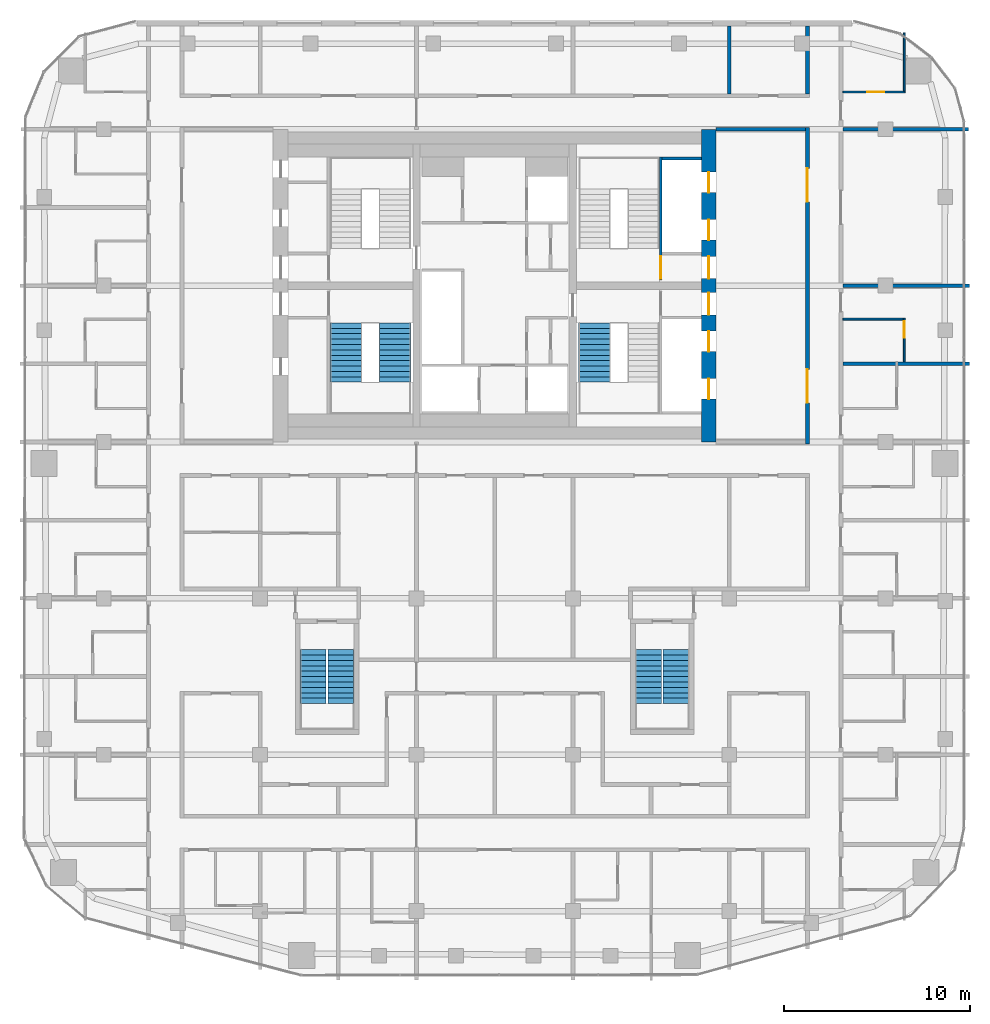
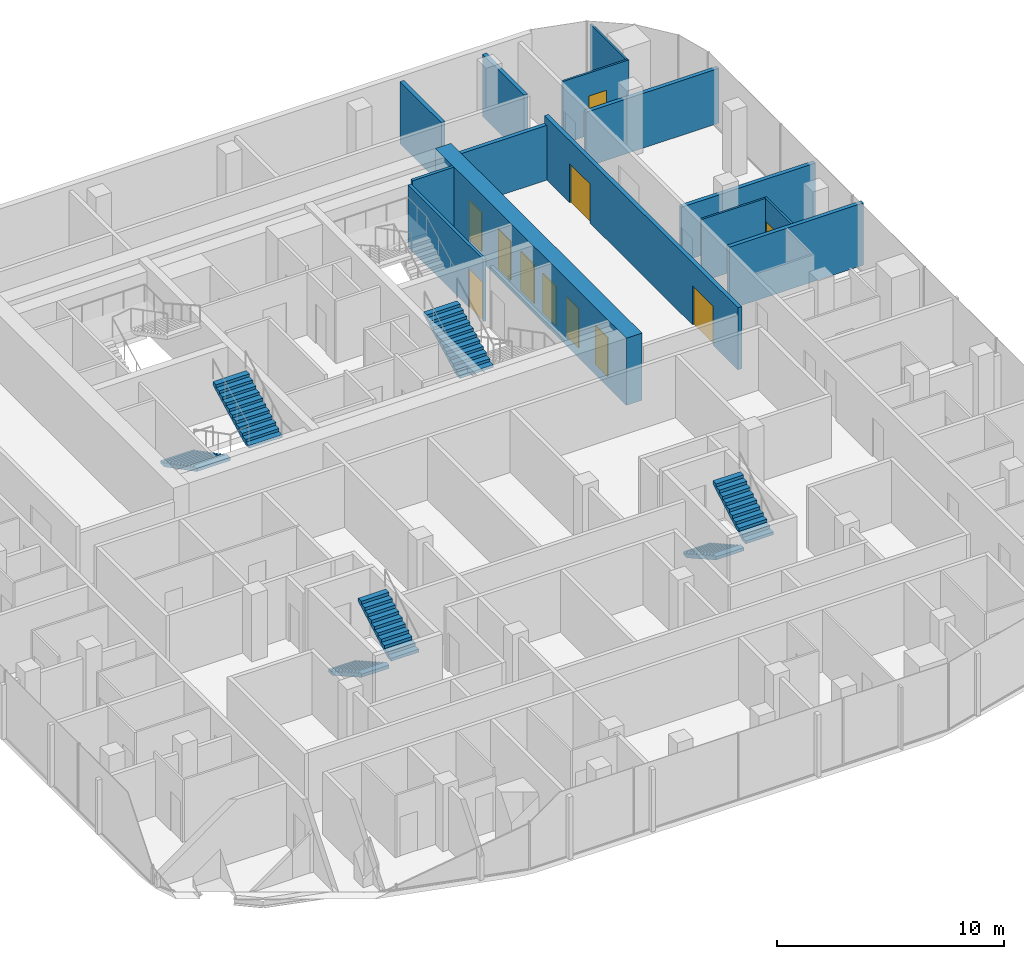
# One storey, part 20 of 22: 14 walls, 11 doors, 7 stair flights, 11 openings, 4 elements without a shape of their own.
"""IFC4 building model written with IfcOpenShell, lengths in metres."""

from ifc_helpers import new_model, si_unit, direction, frame, frame_2d, origin, place, context, subcontext, project, spatial, polyline, rectangle, outline, extrude, material, layer, layer_set, type_object, element, fill, aggregate, save


model = new_model("IFC4")

# Units and contexts
model_context = context("Model", 3, precision=1e-05, world=origin(), true_north=direction((0.0, 1.0)))
body_context = subcontext(model_context, "Body", "Model", "MODEL_VIEW")
ifc_project = project(units=[si_unit("LENGTHUNIT", "METRE"), si_unit("AREAUNIT", "SQUARE_METRE"), si_unit("VOLUMEUNIT", "CUBIC_METRE"), si_unit("PLANEANGLEUNIT", "RADIAN"), si_unit("MASSUNIT", "GRAM", prefix="KILO")], contexts=[model_context])

# Site, building, storey
site_placement = place(None, origin())
site = spatial("IfcSite", under=ifc_project, at=site_placement, CompositionType="ELEMENT")
building_placement = place(site_placement, origin())
building = spatial("IfcBuilding", under=site, at=building_placement, Name="Marenta Gate Hotel Tower", CompositionType="ELEMENT")
storey_placement = place(building_placement, frame((0.0, 0.0, 187.699951171875)))
storey = spatial("IfcBuildingStorey", under=building, at=storey_placement, Name="L42", CompositionType="ELEMENT", Elevation=187.699951171875)

# Wall, openings, doors
ifc_material_1 = material(Name="Concrete blockwork", Category="masonry")
ifc_layer_1 = layer(ifc_material_1, 0.199951171875)
ifc_layer_set_1 = layer_set([ifc_layer_1], Name="Concrete blockwork")
wall_type_1 = type_object("IfcWallType", Name="Core boundary wall 200 REI 180", PredefinedType="PARTITIONING", material=ifc_layer_set_1)
wall_1_placement = place(storey_placement, frame((16.800048828125, -0.10009765625, 0.0), z_axis=(0.0, 0.0, 1.0), x_axis=(0.0, 1.0, 0.0)))
wall_1 = element("IfcWall", 1, at=wall_1_placement, inside=storey, type_object=wall_type_1, Name="L42-CP-BW-E", PredefinedType="PARTITIONING", context=body_context, shape_type="SweptSolid", body=[
    extrude(rectangle(XDim=17.0, YDim=0.199951171875, at=frame_2d((8.5, 0.0))), origin(), (0.0, 0.0, 1.0), 3.340087890625),
])
opening_1_placement = place(wall_1_placement, frame((2.199951171875, 0.0, 0.0)))
opening_1 = element("IfcOpeningElement", 2, at=opening_1_placement, cuts=wall_1, Name="Opening ED-Ea-B", PredefinedType="OPENING", context=body_context, shape_type="SweptSolid", body=[
    extrude(rectangle(XDim=1.800048828125, YDim=2.10009765625, at=frame_2d((0.89990234375, 1.050048828125))), frame((0.0, 0.10009765625, 0.0), z_axis=(0.0, -1.0, 0.0), x_axis=(1.0, 0.0, 0.0)), (0.0, 0.0, 1.0), 0.199951171875),
])
opening_2_placement = place(wall_1_placement, frame((13.0, 0.0, 0.0)))
opening_2 = element("IfcOpeningElement", 3, at=opening_2_placement, cuts=wall_1, Name="Opening ED-Eb-B", PredefinedType="OPENING", context=body_context, shape_type="SweptSolid", body=[
    extrude(rectangle(XDim=1.800048828125, YDim=2.10009765625, at=frame_2d((0.89990234375, 1.050048828125))), frame((0.0, 0.10009765625, 0.0), z_axis=(0.0, -1.0, 0.0), x_axis=(1.0, 0.0, 0.0)), (0.0, 0.0, 1.0), 0.199951171875),
])
ifc_material_2 = material(Name="Steel", Category="steel")
door_type_1 = type_object("IfcDoorType", Name="Core lobby entrance door 1800x2100 EI 60", OperationType="DOUBLE_DOOR_SINGLE_SWING", PredefinedType="DOOR", material=ifc_material_2)
door_1_placement = place(opening_1_placement, origin())
door_1 = element("IfcDoor", 4, at=door_1_placement, inside=storey, type_object=door_type_1, Name="ED-Ea-B", OperationType="DOUBLE_DOOR_SINGLE_SWING", OverallHeight=2.10009765625, OverallWidth=1.800048828125, PredefinedType="DOOR", context=body_context, shape_type="SweptSolid", body=[
    extrude(rectangle(XDim=1.800048828125, YDim=2.10009765625, at=frame_2d((0.89990234375, 1.050048828125))), frame((0.0, 0.02490234375, 0.0), z_axis=(0.0, -1.0, 0.0), x_axis=(1.0, 0.0, 0.0)), (0.0, 0.0, 1.0), 0.050048828125),
])
fill(opening_1, door_1)
door_2_placement = place(opening_2_placement, origin())
door_2 = element("IfcDoor", 5, at=door_2_placement, inside=storey, type_object=door_type_1, Name="ED-Eb-B", OperationType="DOUBLE_DOOR_SINGLE_SWING", OverallHeight=2.10009765625, OverallWidth=1.800048828125, PredefinedType="DOOR", context=body_context, shape_type="SweptSolid", body=[
    extrude(rectangle(XDim=1.800048828125, YDim=2.10009765625, at=frame_2d((0.89990234375, 1.050048828125))), frame((0.0, 0.02490234375, 0.0), z_axis=(0.0, -1.0, 0.0), x_axis=(1.0, 0.0, 0.0)), (0.0, 0.0, 1.0), 0.050048828125),
])
fill(opening_2, door_2)

# Walls
wall_2_placement = place(storey_placement, frame((11.89990234375, 16.800048828125, 0.0), z_axis=(0.0, 0.0, 1.0), x_axis=(1.0, 0.0, 0.0)))
element("IfcWall", 6, at=wall_2_placement, inside=storey, type_object=wall_type_1, Name="L42-CP-EW-EN", PredefinedType="PARTITIONING", context=body_context, shape_type="SweptSolid", body=[
    extrude(rectangle(XDim=4.800048828125, YDim=0.199951171875, at=frame_2d((2.39990234375, 0.0))), origin(), (0.0, 0.0, 1.0), 2.93994140625),
])
ifc_material_3 = material(Name="Concrete C40", Category="concrete")
ifc_layer_2 = layer(ifc_material_3, 0.14990234375)
ifc_layer_set_2 = layer_set([ifc_layer_2], Name="Concrete C40")
wall_type_2 = type_object("IfcWallType", Name="Core shaft wall 150 REI 180", PredefinedType="SHEAR", material=ifc_layer_set_2)
wall_3_placement = place(storey_placement, frame((9.0, 15.22509765625, 0.0), z_axis=(0.0, 0.0, 1.0), x_axis=(1.0, 0.0, 0.0)))
element("IfcWall", 7, at=wall_3_placement, inside=storey, type_object=wall_type_2, Name="L42-SHF-SW-EN-5", PredefinedType="SHEAR", context=body_context, shape_type="SweptSolid", body=[
    extrude(rectangle(XDim=2.10009765625, YDim=0.14990234375, at=frame_2d((1.050048828125, 0.0))), origin(), (0.0, 0.0, 1.0), 3.60009765625),
])

# Wall, opening, door
ifc_material_4 = material(Name="Concrete C40", Category="concrete")
ifc_layer_3 = layer(ifc_material_4, 0.14990234375)
ifc_layer_set_3 = layer_set([ifc_layer_3], Name="Concrete C40")
wall_type_3 = type_object("IfcWallType", Name="Core stair enclosure wall 150 REI 180", PredefinedType="SHEAR", material=ifc_layer_set_3)
wall_4_placement = place(storey_placement, frame((8.925048828125, 8.699951171875, 0.0), z_axis=(0.0, 0.0, 1.0), x_axis=(0.0, 1.0, 0.0)))
wall_4 = element("IfcWall", 8, at=wall_4_placement, inside=storey, type_object=wall_type_3, Name="L42-SHF-SW-EN-3", PredefinedType="SHEAR", context=body_context, shape_type="SweptSolid", body=[
    extrude(rectangle(XDim=6.60009765625, YDim=0.14990234375, at=frame_2d((3.300048828125, 0.0))), origin(), (0.0, 0.0, 1.0), 3.340087890625),
])
opening_3_placement = place(wall_4_placement, frame((0.074951171875, 0.0, 0.0)))
opening_3 = element("IfcOpeningElement", 9, at=opening_3_placement, cuts=wall_4, Name="Opening SD-EN", PredefinedType="OPENING", context=body_context, shape_type="SweptSolid", body=[
    extrude(rectangle(XDim=1.199951171875, YDim=2.10009765625, at=frame_2d((0.60009765625, 1.050048828125))), frame((0.0, 0.074951171875, 0.0), z_axis=(0.0, -1.0, 0.0), x_axis=(1.0, 0.0, 0.0)), (0.0, 0.0, 1.0), 0.14990234375),
])
ifc_material_5 = material(Name="Steel", Category="steel")
door_type_2 = type_object("IfcDoorType", Name="Core stair door 1200x2100 FD60", OperationType="SINGLE_SWING_LEFT", PredefinedType="DOOR", material=ifc_material_5)
door_3_placement = place(opening_3_placement, origin())
door_3 = element("IfcDoor", 10, at=door_3_placement, inside=storey, type_object=door_type_2, Name="SD-EN", OperationType="SINGLE_SWING_LEFT", OverallHeight=2.10009765625, OverallWidth=1.199951171875, PredefinedType="DOOR", context=body_context, shape_type="SweptSolid", body=[
    extrude(rectangle(XDim=1.199951171875, YDim=2.10009765625, at=frame_2d((0.60009765625, 1.050048828125))), frame((0.0, 0.02490234375, 0.0), z_axis=(0.0, -1.0, 0.0), x_axis=(1.0, 0.0, 0.0)), (0.0, 0.0, 1.0), 0.050048828125),
])
fill(opening_3, door_3)

# Wall, openings, doors
ifc_material_6 = material(Name="Concrete C60", Category="concrete")
ifc_layer_4 = layer(ifc_material_6, 0.800048828125)
ifc_layer_set_4 = layer_set([ifc_layer_4], Name="Concrete C60")
wall_type_4 = type_object("IfcWallType", Name="Core wall 800 C60", PredefinedType="SHEAR", material=ifc_layer_set_4)
wall_5_placement = place(storey_placement, frame((11.5, 0.0, 0.0), z_axis=(0.0, 0.0, 1.0), x_axis=(0.0, 1.0, 0.0)))
wall_5 = element("IfcWall", 11, at=wall_5_placement, inside=storey, type_object=wall_type_4, Name="L42-CORE-E", PredefinedType="SHEAR", context=body_context, shape_type="SweptSolid", body=[
    extrude(rectangle(XDim=16.800048828125, YDim=0.800048828125, at=frame_2d((8.39990234375, 0.0))), origin(), (0.0, 0.0, 1.0), 3.60009765625),
])
opening_4_placement = place(wall_5_placement, frame((2.300048828125, 0.0, 0.0)))
opening_4 = element("IfcOpeningElement", 12, at=opening_4_placement, cuts=wall_5, Name="Opening LD-HR1", PredefinedType="OPENING", context=body_context, shape_type="SweptSolid", body=[
    extrude(rectangle(XDim=1.10009765625, YDim=2.10009765625, at=frame_2d((0.550048828125, 1.050048828125))), frame((0.0, 0.39990234375, 0.0), z_axis=(0.0, -1.0, 0.0), x_axis=(1.0, 0.0, 0.0)), (0.0, 0.0, 1.0), 0.800048828125),
])
opening_5_placement = place(wall_5_placement, frame((4.85009765625, 0.0, 0.0)))
opening_5 = element("IfcOpeningElement", 13, at=opening_5_placement, cuts=wall_5, Name="Opening LD-HR2", PredefinedType="OPENING", context=body_context, shape_type="SweptSolid", body=[
    extrude(rectangle(XDim=1.10009765625, YDim=2.10009765625, at=frame_2d((0.550048828125, 1.050048828125))), frame((0.0, 0.39990234375, 0.0), z_axis=(0.0, -1.0, 0.0), x_axis=(1.0, 0.0, 0.0)), (0.0, 0.0, 1.0), 0.800048828125),
])
opening_6_placement = place(wall_5_placement, frame((6.824951171875, 0.0, 0.0)))
opening_6 = element("IfcOpeningElement", 14, at=opening_6_placement, cuts=wall_5, Name="Opening PD-ES", PredefinedType="OPENING", context=body_context, shape_type="SweptSolid", body=[
    extrude(rectangle(XDim=1.199951171875, YDim=2.10009765625, at=frame_2d((0.60009765625, 1.050048828125))), frame((0.0, 0.39990234375, 0.0), z_axis=(0.0, -1.0, 0.0), x_axis=(1.0, 0.0, 0.0)), (0.0, 0.0, 1.0), 0.800048828125),
])
opening_7_placement = place(wall_5_placement, frame((13.39990234375, 0.0, 0.0)))
opening_7 = element("IfcOpeningElement", 15, at=opening_7_placement, cuts=wall_5, Name="Opening LD-HR4", PredefinedType="OPENING", context=body_context, shape_type="SweptSolid", body=[
    extrude(rectangle(XDim=1.10009765625, YDim=2.10009765625, at=frame_2d((0.550048828125, 1.050048828125))), frame((0.0, 0.39990234375, 0.0), z_axis=(0.0, -1.0, 0.0), x_axis=(1.0, 0.0, 0.0)), (0.0, 0.0, 1.0), 0.800048828125),
])
opening_8_placement = place(wall_5_placement, frame((10.85009765625, 0.0, 0.0)))
opening_8 = element("IfcOpeningElement", 16, at=opening_8_placement, cuts=wall_5, Name="Opening LD-HR3", PredefinedType="OPENING", context=body_context, shape_type="SweptSolid", body=[
    extrude(rectangle(XDim=1.10009765625, YDim=2.10009765625, at=frame_2d((0.550048828125, 1.050048828125))), frame((0.0, 0.39990234375, 0.0), z_axis=(0.0, -1.0, 0.0), x_axis=(1.0, 0.0, 0.0)), (0.0, 0.0, 1.0), 0.800048828125),
])
opening_9_placement = place(wall_5_placement, frame((8.77490234375, 0.0, 0.0)))
opening_9 = element("IfcOpeningElement", 17, at=opening_9_placement, cuts=wall_5, Name="Opening PD-EN", PredefinedType="OPENING", context=body_context, shape_type="SweptSolid", body=[
    extrude(rectangle(XDim=1.199951171875, YDim=2.10009765625, at=frame_2d((0.60009765625, 1.050048828125))), frame((0.0, 0.39990234375, 0.0), z_axis=(0.0, -1.0, 0.0), x_axis=(1.0, 0.0, 0.0)), (0.0, 0.0, 1.0), 0.800048828125),
])
ifc_material_7 = material(Name="Steel", Category="steel")
door_type_3 = type_object("IfcDoorType", Name="Core lift landing door 1100x2100 E 60", OperationType="SLIDING_TO_LEFT", PredefinedType="DOOR", material=ifc_material_7)
door_4_placement = place(opening_4_placement, origin())
door_4 = element("IfcDoor", 18, at=door_4_placement, inside=storey, type_object=door_type_3, Name="LD-HR1", OperationType="SLIDING_TO_LEFT", OverallHeight=2.10009765625, OverallWidth=1.10009765625, PredefinedType="DOOR", context=body_context, shape_type="SweptSolid", body=[
    extrude(rectangle(XDim=1.10009765625, YDim=2.10009765625, at=frame_2d((0.550048828125, 1.050048828125))), frame((0.0, 0.02490234375, 0.0), z_axis=(0.0, -1.0, 0.0), x_axis=(1.0, 0.0, 0.0)), (0.0, 0.0, 1.0), 0.050048828125),
])
fill(opening_4, door_4)
door_5_placement = place(opening_5_placement, origin())
door_5 = element("IfcDoor", 19, at=door_5_placement, inside=storey, type_object=door_type_3, Name="LD-HR2", OperationType="SLIDING_TO_LEFT", OverallHeight=2.10009765625, OverallWidth=1.10009765625, PredefinedType="DOOR", context=body_context, shape_type="SweptSolid", body=[
    extrude(rectangle(XDim=1.10009765625, YDim=2.10009765625, at=frame_2d((0.550048828125, 1.050048828125))), frame((0.0, 0.02490234375, 0.0), z_axis=(0.0, -1.0, 0.0), x_axis=(1.0, 0.0, 0.0)), (0.0, 0.0, 1.0), 0.050048828125),
])
fill(opening_5, door_5)
door_6_placement = place(opening_7_placement, origin())
door_6 = element("IfcDoor", 20, at=door_6_placement, inside=storey, type_object=door_type_3, Name="LD-HR4", OperationType="SLIDING_TO_LEFT", OverallHeight=2.10009765625, OverallWidth=1.10009765625, PredefinedType="DOOR", context=body_context, shape_type="SweptSolid", body=[
    extrude(rectangle(XDim=1.10009765625, YDim=2.10009765625, at=frame_2d((0.550048828125, 1.050048828125))), frame((0.0, 0.02490234375, 0.0), z_axis=(0.0, -1.0, 0.0), x_axis=(1.0, 0.0, 0.0)), (0.0, 0.0, 1.0), 0.050048828125),
])
fill(opening_7, door_6)
door_7_placement = place(opening_8_placement, origin())
door_7 = element("IfcDoor", 21, at=door_7_placement, inside=storey, type_object=door_type_3, Name="LD-HR3", OperationType="SLIDING_TO_LEFT", OverallHeight=2.10009765625, OverallWidth=1.10009765625, PredefinedType="DOOR", context=body_context, shape_type="SweptSolid", body=[
    extrude(rectangle(XDim=1.10009765625, YDim=2.10009765625, at=frame_2d((0.550048828125, 1.050048828125))), frame((0.0, 0.02490234375, 0.0), z_axis=(0.0, -1.0, 0.0), x_axis=(1.0, 0.0, 0.0)), (0.0, 0.0, 1.0), 0.050048828125),
])
fill(opening_8, door_7)
ifc_material_8 = material(Name="Steel", Category="steel")
door_type_4 = type_object("IfcDoorType", Name="Core lobby door 1200x2100 FD60", OperationType="SINGLE_SWING_LEFT", PredefinedType="DOOR", material=ifc_material_8)
door_8_placement = place(opening_6_placement, origin())
door_8 = element("IfcDoor", 22, at=door_8_placement, inside=storey, type_object=door_type_4, Name="PD-ES", OperationType="SINGLE_SWING_LEFT", OverallHeight=2.10009765625, OverallWidth=1.199951171875, PredefinedType="DOOR", context=body_context, shape_type="SweptSolid", body=[
    extrude(rectangle(XDim=1.199951171875, YDim=2.10009765625, at=frame_2d((0.60009765625, 1.050048828125))), frame((0.0, 0.02490234375, 0.0), z_axis=(0.0, -1.0, 0.0), x_axis=(1.0, 0.0, 0.0)), (0.0, 0.0, 1.0), 0.050048828125),
])
fill(opening_6, door_8)
door_9_placement = place(opening_9_placement, origin())
door_9 = element("IfcDoor", 23, at=door_9_placement, inside=storey, type_object=door_type_4, Name="PD-EN", OperationType="SINGLE_SWING_LEFT", OverallHeight=2.10009765625, OverallWidth=1.199951171875, PredefinedType="DOOR", context=body_context, shape_type="SweptSolid", body=[
    extrude(rectangle(XDim=1.199951171875, YDim=2.10009765625, at=frame_2d((0.60009765625, 1.050048828125))), frame((0.0, 0.02490234375, 0.0), z_axis=(0.0, -1.0, 0.0), x_axis=(1.0, 0.0, 0.0)), (0.0, 0.0, 1.0), 0.050048828125),
])
fill(opening_9, door_9)

# Wall
ifc_material_9 = material(Name="Gypsum board on steel stud", Category="steel")
ifc_layer_5 = layer(ifc_material_9, 0.199951171875)
ifc_layer_set_5 = layer_set([ifc_layer_5], Name="Gypsum board on steel stud")
wall_type_5 = type_object("IfcWallType", Name="Room corridor wall 200 EI 60", PredefinedType="PARTITIONING", material=ifc_layer_set_5)
wall_6_placement = place(storey_placement, frame((16.800048828125, 18.699951171875, 0.0), z_axis=(0.0, 0.0, 1.0), x_axis=(0.0, 1.0, 0.0)))
element("IfcWall", 24, at=wall_6_placement, inside=storey, type_object=wall_type_5, Name="L42-PTN-W029", PredefinedType="PARTITIONING", context=body_context, shape_type="SweptSolid", body=[
    extrude(rectangle(XDim=3.64013671875, YDim=0.199951171875, at=frame_2d((1.820068359375, 0.0))), origin(), (0.0, 0.0, 1.0), 3.340087890625),
])

# Wall, opening, door
ifc_material_10 = material(Name="Gypsum board on steel stud", Category="steel")
ifc_layer_6 = layer(ifc_material_10, 0.10009765625)
ifc_layer_set_6 = layer_set([ifc_layer_6], Name="Gypsum board on steel stud")
wall_type_6 = type_object("IfcWallType", Name="Room partition 100", PredefinedType="PARTITIONING", material=ifc_layer_set_6)
wall_7_placement = place(storey_placement, frame((22.0, 4.300048828125, 0.0), z_axis=(0.0, 0.0, 1.0), x_axis=(0.0, 1.0, 0.0)))
wall_7 = element("IfcWall", 25, at=wall_7_placement, inside=storey, type_object=wall_type_6, Name="L42-PTN-W011", PredefinedType="PARTITIONING", context=body_context, shape_type="SweptSolid", body=[
    extrude(rectangle(XDim=2.349853515625, YDim=0.10009765625, at=frame_2d((1.1748046875, 0.0))), origin(), (0.0, 0.0, 1.0), 3.340087890625),
])
opening_10_placement = place(wall_7_placement, frame((1.300048828125, 0.0, 0.0)))
opening_10 = element("IfcOpeningElement", 26, at=opening_10_placement, cuts=wall_7, Name="Opening G15-33", PredefinedType="OPENING", context=body_context, shape_type="SweptSolid", body=[
    extrude(rectangle(XDim=0.89990234375, YDim=2.10009765625, at=frame_2d((0.449951171875, 1.050048828125))), frame((0.0, 0.050048828125, 0.0), z_axis=(0.0, -1.0, 0.0), x_axis=(1.0, 0.0, 0.0)), (0.0, 0.0, 1.0), 0.10009765625),
])
ifc_material_11 = material(Name="Timber door leaf", Category="wood")
door_type_5 = type_object("IfcDoorType", Name="Guest bathroom door 900x2100", OperationType="NOTDEFINED", PredefinedType="DOOR", material=ifc_material_11)
door_10_placement = place(opening_10_placement, origin())
door_10 = element("IfcDoor", 27, at=door_10_placement, inside=storey, type_object=door_type_5, Name="L42-PD-D033", OperationType="SINGLE_SWING_RIGHT", OverallHeight=2.10009765625, OverallWidth=0.89990234375, PredefinedType="DOOR", context=body_context, shape_type="SweptSolid", body=[
    extrude(rectangle(XDim=0.89990234375, YDim=2.10009765625, at=frame_2d((0.449951171875, 1.050048828125))), frame((0.0, 0.02490234375, 0.0), z_axis=(0.0, -1.0, 0.0), x_axis=(1.0, 0.0, 0.0)), (0.0, 0.0, 1.0), 0.050048828125),
])
fill(opening_10, door_10)

# Walls
wall_8_placement = place(storey_placement, frame((22.0, 18.85009765625, 0.0), z_axis=(0.0, 0.0, 1.0), x_axis=(0.0, 1.0, 0.0)))
element("IfcWall", 28, at=wall_8_placement, inside=storey, type_object=wall_type_6, Name="L42-PTN-W012", PredefinedType="PARTITIONING", context=body_context, shape_type="SweptSolid", body=[
    extrude(rectangle(XDim=3.12890625, YDim=0.10009765625, at=frame_2d((1.564453125, 0.0))), origin(), (0.0, 0.0, 1.0), 3.340087890625),
])
wall_9_placement = place(storey_placement, frame((18.699951171875, 6.60009765625, 0.0), z_axis=(0.0, 0.0, 1.0), x_axis=(1.0, 0.0, 0.0)))
element("IfcWall", 29, at=wall_9_placement, inside=storey, type_object=wall_type_6, Name="L42-PTN-W088", PredefinedType="PARTITIONING", context=body_context, shape_type="SweptSolid", body=[
    extrude(rectangle(XDim=3.25, YDim=0.10009765625, at=frame_2d((1.625, 0.0))), origin(), (0.0, 0.0, 1.0), 3.340087890625),
])

# Wall, opening, door
wall_10_placement = place(storey_placement, frame((18.699951171875, 18.800048828125, 0.0), z_axis=(0.0, 0.0, 1.0), x_axis=(1.0, 0.0, 0.0)))
wall_10 = element("IfcWall", 30, at=wall_10_placement, inside=storey, type_object=wall_type_6, Name="L42-PTN-W115", PredefinedType="PARTITIONING", context=body_context, shape_type="SweptSolid", body=[
    extrude(rectangle(XDim=3.35009765625, YDim=0.10009765625, at=frame_2d((1.675048828125, 0.0))), origin(), (0.0, 0.0, 1.0), 3.340087890625),
])
opening_11_placement = place(wall_10_placement, frame((1.320068359375, 0.0, 0.0)))
opening_11 = element("IfcOpeningElement", 31, at=opening_11_placement, cuts=wall_10, Name="Opening G15-36", PredefinedType="OPENING", context=body_context, shape_type="SweptSolid", body=[
    extrude(rectangle(XDim=0.89990234375, YDim=2.10009765625, at=frame_2d((0.449951171875, 1.050048828125))), frame((0.0, 0.050048828125, 0.0), z_axis=(0.0, -1.0, 0.0), x_axis=(1.0, 0.0, 0.0)), (0.0, 0.0, 1.0), 0.10009765625),
])
door_11_placement = place(opening_11_placement, origin())
door_11 = element("IfcDoor", 32, at=door_11_placement, inside=storey, type_object=door_type_5, Name="L42-PD-D036", OperationType="SINGLE_SWING_RIGHT", OverallHeight=2.10009765625, OverallWidth=0.89990234375, PredefinedType="DOOR", context=body_context, shape_type="SweptSolid", body=[
    extrude(rectangle(XDim=0.89990234375, YDim=2.10009765625, at=frame_2d((0.449951171875, 1.050048828125))), frame((0.0, 0.02490234375, 0.0), z_axis=(0.0, -1.0, 0.0), x_axis=(1.0, 0.0, 0.0)), (0.0, 0.0, 1.0), 0.050048828125),
])
fill(opening_11, door_11)

# Walls
ifc_material_12 = material(Name="Gypsum board on steel stud", Category="steel")
ifc_layer_7 = layer(ifc_material_12, 0.199951171875)
ifc_layer_set_7 = layer_set([ifc_layer_7], Name="Gypsum board on steel stud")
wall_type_7 = type_object("IfcWallType", Name="Room party wall 200 EI 60", PredefinedType="PARTITIONING", material=ifc_layer_set_7)
wall_11_placement = place(storey_placement, frame((12.60009765625, 18.699951171875, 0.0), z_axis=(0.0, 0.0, 1.0), x_axis=(0.0, 1.0, 0.0)))
element("IfcWall", 33, at=wall_11_placement, inside=storey, type_object=wall_type_7, Name="L42-PTN-W041", PredefinedType="PARTITIONING", context=body_context, shape_type="SweptSolid", body=[
    extrude(rectangle(XDim=3.64013671875, YDim=0.199951171875, at=frame_2d((1.820068359375, 0.0))), origin(), (0.0, 0.0, 1.0), 3.340087890625),
])
wall_12_placement = place(storey_placement, frame((18.699951171875, 4.199951171875, 0.0), z_axis=(0.0, 0.0, 1.0), x_axis=(1.0, 0.0, 0.0)))
element("IfcWall", 34, at=wall_12_placement, inside=storey, type_object=wall_type_7, Name="L42-PTN-W084", PredefinedType="PARTITIONING", context=body_context, shape_type="SweptSolid", body=[
    extrude(rectangle(XDim=6.800048828125, YDim=0.199951171875, at=frame_2d((3.39990234375, 0.0))), origin(), (0.0, 0.0, 1.0), 3.340087890625),
])
wall_13_placement = place(storey_placement, frame((18.699951171875, 8.39990234375, 0.0), z_axis=(0.0, 0.0, 1.0), x_axis=(1.0, 0.0, 0.0)))
element("IfcWall", 35, at=wall_13_placement, inside=storey, type_object=wall_type_7, Name="L42-PTN-W094", PredefinedType="PARTITIONING", context=body_context, shape_type="SweptSolid", body=[
    extrude(rectangle(XDim=6.800048828125, YDim=0.199951171875, at=frame_2d((3.39990234375, 0.0))), origin(), (0.0, 0.0, 1.0), 2.93994140625),
])
wall_14_placement = place(storey_placement, frame((18.699951171875, 16.800048828125, 0.0), z_axis=(0.0, 0.0, 1.0), x_axis=(1.0, 0.0, 0.0)))
element("IfcWall", 36, at=wall_14_placement, inside=storey, type_object=wall_type_7, Name="L42-PTN-W111", PredefinedType="PARTITIONING", context=body_context, shape_type="SweptSolid", body=[
    extrude(rectangle(XDim=6.7470703125, YDim=0.199951171875, at=frame_2d((3.37353515625, 0.0))), origin(), (0.0, 0.0, 1.0), 2.93994140625),
])

# Stair, stair flights
ifc_material_13 = material(Name="Concrete C40", Category="concrete")
stair_type_1 = type_object("IfcStairType", Name="Core exit stair 1700 wide", PredefinedType="HALF_TURN_STAIR", material=ifc_material_13)
stair_1_placement = place(storey_placement, origin())
stair_1 = element("IfcStair", 37, at=stair_1_placement, inside=storey, type_object=stair_type_1, Name="Exit stair 1", PredefinedType="HALF_TURN_STAIR")
ifc_material_14 = material(Name="Concrete C40", Category="concrete")
stair_flight_type_1 = type_object("IfcStairFlightType", Name="Core stair flight 1700 riser 150.0 going 290", PredefinedType="STRAIGHT", material=ifc_material_14)
stair_flight_1_placement = place(storey_placement, frame((-8.0, 6.39990234375, 0.0), z_axis=(0.0, 0.0, 1.0), x_axis=(0.0, -1.0, 0.0)))
stair_flight_1 = element("IfcStairFlight", 38, at=stair_flight_1_placement, type_object=stair_flight_type_1, Name="ST1 flight 1", NumberOfRisers=12, NumberOfTreads=11, PredefinedType="STRAIGHT", RiserHeight=0.15, TreadLength=0.29, context=body_context, shape_type="SweptSolid", body=[
    extrude(outline(polyline([(0.0, 0.0), (0.0, 0.14990234375), (0.2900390625, 0.14990234375), (0.2900390625, 0.300048828125), (0.580078125, 0.300048828125), (0.580078125, 0.449951171875), (0.8701171875, 0.449951171875), (0.8701171875, 0.60009765625), (1.159912109375, 0.60009765625), (1.159912109375, 0.75), (1.449951171875, 0.75), (1.449951171875, 0.89990234375), (1.739990234375, 0.89990234375), (1.739990234375, 1.050048828125), (2.030029296875, 1.050048828125), (2.030029296875, 1.199951171875), (2.320068359375, 1.199951171875), (2.320068359375, 1.35009765625), (2.610107421875, 1.35009765625), (2.610107421875, 1.5), (2.89990234375, 1.5), (2.89990234375, 1.64990234375), (3.18994140625, 1.64990234375), (3.18994140625, 1.800048828125), (3.18994140625, 1.481201171875), (0.326171875, 0.0), (0.0, 0.0)])), frame((0.0, 0.85009765625, 0.0), z_axis=(0.0, -1.0, 0.0), x_axis=(1.0, 0.0, 0.0)), (0.0, 0.0, 1.0), 1.699951171875),
])
stair_flight_2_placement = place(storey_placement, frame((-5.35009765625, 3.2099609375, 1.800048828125), z_axis=(0.0, 0.0, 1.0), x_axis=(0.0, 1.0, 0.0)))
stair_flight_2 = element("IfcStairFlight", 39, at=stair_flight_2_placement, type_object=stair_flight_type_1, Name="ST1 flight 2", NumberOfRisers=12, NumberOfTreads=11, PredefinedType="STRAIGHT", RiserHeight=0.15, TreadLength=0.29, context=body_context, shape_type="SweptSolid", body=[
    extrude(outline(polyline([(0.0, 0.0), (0.0, 0.14990234375), (0.2900390625, 0.14990234375), (0.2900390625, 0.300048828125), (0.580078125, 0.300048828125), (0.580078125, 0.449951171875), (0.8701171875, 0.449951171875), (0.8701171875, 0.60009765625), (1.159912109375, 0.60009765625), (1.159912109375, 0.75), (1.449951171875, 0.75), (1.449951171875, 0.89990234375), (1.739990234375, 0.89990234375), (1.739990234375, 1.050048828125), (2.030029296875, 1.050048828125), (2.030029296875, 1.199951171875), (2.320068359375, 1.199951171875), (2.320068359375, 1.35009765625), (2.610107421875, 1.35009765625), (2.610107421875, 1.5), (2.89990234375, 1.5), (2.89990234375, 1.64990234375), (3.18994140625, 1.64990234375), (3.18994140625, 1.800048828125), (3.18994140625, 1.481201171875), (0.326171875, 0.0), (0.0, 0.0)])), frame((0.0, 0.85009765625, 0.0), z_axis=(0.0, -1.0, 0.0), x_axis=(1.0, 0.0, 0.0)), (0.0, 0.0, 1.0), 1.699951171875),
])
aggregate(stair_1, [stair_flight_1, stair_flight_2])

# Stair, stair flight
stair_2_placement = place(storey_placement, origin())
stair_2 = element("IfcStair", 40, at=stair_2_placement, inside=storey, type_object=stair_type_1, Name="Exit stair 3", PredefinedType="HALF_TURN_STAIR")
stair_flight_3_placement = place(storey_placement, frame((5.35009765625, 3.2099609375, 1.800048828125), z_axis=(0.0, 0.0, 1.0), x_axis=(0.0, 1.0, 0.0)))
stair_flight_3 = element("IfcStairFlight", 41, at=stair_flight_3_placement, type_object=stair_flight_type_1, Name="ST3 flight 2", NumberOfRisers=12, NumberOfTreads=11, PredefinedType="STRAIGHT", RiserHeight=0.15, TreadLength=0.29, context=body_context, shape_type="SweptSolid", body=[
    extrude(outline(polyline([(0.0, 0.0), (0.0, 0.14990234375), (0.2900390625, 0.14990234375), (0.2900390625, 0.300048828125), (0.580078125, 0.300048828125), (0.580078125, 0.449951171875), (0.8701171875, 0.449951171875), (0.8701171875, 0.60009765625), (1.159912109375, 0.60009765625), (1.159912109375, 0.75), (1.449951171875, 0.75), (1.449951171875, 0.89990234375), (1.739990234375, 0.89990234375), (1.739990234375, 1.050048828125), (2.030029296875, 1.050048828125), (2.030029296875, 1.199951171875), (2.320068359375, 1.199951171875), (2.320068359375, 1.35009765625), (2.610107421875, 1.35009765625), (2.610107421875, 1.5), (2.89990234375, 1.5), (2.89990234375, 1.64990234375), (3.18994140625, 1.64990234375), (3.18994140625, 1.800048828125), (3.18994140625, 1.481201171875), (0.326171875, 0.0), (0.0, 0.0)])), frame((0.0, 0.85009765625, 0.0), z_axis=(0.0, -1.0, 0.0), x_axis=(1.0, 0.0, 0.0)), (0.0, 0.0, 1.0), 1.699951171875),
])
aggregate(stair_2, [stair_flight_3])

# Stair, stair flights
ifc_material_15 = material(Name="Concrete C40", Category="concrete")
stair_type_2 = type_object("IfcStairType", Name="Remote exit stair 1400 wide", PredefinedType="HALF_TURN_STAIR", material=ifc_material_15)
stair_3_placement = place(storey_placement, origin())
stair_3 = element("IfcStair", 42, at=stair_3_placement, inside=storey, type_object=stair_type_2, Name="Exit stair RS-Z3-1", PredefinedType="HALF_TURN_STAIR")
ifc_material_16 = material(Name="Concrete C40", Category="concrete")
stair_flight_type_2 = type_object("IfcStairFlightType", Name="Remote stair flight 1400 riser 163.6 going 290", PredefinedType="STRAIGHT", material=ifc_material_16)
stair_flight_4_placement = place(storey_placement, frame((-9.75, -11.14990234375, 0.0), z_axis=(0.0, 0.0, 1.0), x_axis=(0.0, -1.0, 0.0)))
stair_flight_4 = element("IfcStairFlight", 43, at=stair_flight_4_placement, type_object=stair_flight_type_2, Name="RS-Z3-1 flight 1", NumberOfRisers=11, NumberOfTreads=10, PredefinedType="STRAIGHT", RiserHeight=0.163636, TreadLength=0.29, context=body_context, shape_type="SweptSolid", body=[
    extrude(outline(polyline([(0.0, 0.0), (0.0, 0.16357421875), (0.2900390625, 0.16357421875), (0.2900390625, 0.327392578125), (0.580078125, 0.327392578125), (0.580078125, 0.490966796875), (0.8701171875, 0.490966796875), (0.8701171875, 0.654541015625), (1.159912109375, 0.654541015625), (1.159912109375, 0.818115234375), (1.449951171875, 0.818115234375), (1.449951171875, 0.98193359375), (1.739990234375, 0.98193359375), (1.739990234375, 1.1455078125), (2.030029296875, 1.1455078125), (2.030029296875, 1.30908203125), (2.320068359375, 1.30908203125), (2.320068359375, 1.47265625), (2.610107421875, 1.47265625), (2.610107421875, 1.636474609375), (2.89990234375, 1.636474609375), (2.89990234375, 1.800048828125), (2.89990234375, 1.46435546875), (0.304931640625, 0.0), (0.0, 0.0)])), frame((0.0, 0.699951171875, 0.0), z_axis=(0.0, -1.0, 0.0), x_axis=(1.0, 0.0, 0.0)), (0.0, 0.0, 1.0), 1.39990234375),
])
stair_flight_5_placement = place(storey_placement, frame((-8.25, -14.050048828125, 1.800048828125), z_axis=(0.0, 0.0, 1.0), x_axis=(0.0, 1.0, 0.0)))
stair_flight_5 = element("IfcStairFlight", 44, at=stair_flight_5_placement, type_object=stair_flight_type_2, Name="RS-Z3-1 flight 2", NumberOfRisers=11, NumberOfTreads=10, PredefinedType="STRAIGHT", RiserHeight=0.163636, TreadLength=0.29, context=body_context, shape_type="SweptSolid", body=[
    extrude(outline(polyline([(0.0, 0.0), (0.0, 0.16357421875), (0.2900390625, 0.16357421875), (0.2900390625, 0.327392578125), (0.580078125, 0.327392578125), (0.580078125, 0.490966796875), (0.8701171875, 0.490966796875), (0.8701171875, 0.654541015625), (1.159912109375, 0.654541015625), (1.159912109375, 0.818115234375), (1.449951171875, 0.818115234375), (1.449951171875, 0.98193359375), (1.739990234375, 0.98193359375), (1.739990234375, 1.1455078125), (2.030029296875, 1.1455078125), (2.030029296875, 1.30908203125), (2.320068359375, 1.30908203125), (2.320068359375, 1.47265625), (2.610107421875, 1.47265625), (2.610107421875, 1.636474609375), (2.89990234375, 1.636474609375), (2.89990234375, 1.800048828125), (2.89990234375, 1.46435546875), (0.304931640625, 0.0), (0.0, 0.0)])), frame((0.0, 0.699951171875, 0.0), z_axis=(0.0, -1.0, 0.0), x_axis=(1.0, 0.0, 0.0)), (0.0, 0.0, 1.0), 1.39990234375),
])
aggregate(stair_3, [stair_flight_4, stair_flight_5])

stair_4_placement = place(storey_placement, origin())
stair_4 = element("IfcStair", 45, at=stair_4_placement, inside=storey, type_object=stair_type_2, Name="Exit stair RS-Z3-2", PredefinedType="HALF_TURN_STAIR")
stair_flight_6_placement = place(storey_placement, frame((8.25, -11.14990234375, 0.0), z_axis=(0.0, 0.0, 1.0), x_axis=(0.0, -1.0, 0.0)))
stair_flight_6 = element("IfcStairFlight", 46, at=stair_flight_6_placement, type_object=stair_flight_type_2, Name="RS-Z3-2 flight 1", NumberOfRisers=11, NumberOfTreads=10, PredefinedType="STRAIGHT", RiserHeight=0.163636, TreadLength=0.29, context=body_context, shape_type="SweptSolid", body=[
    extrude(outline(polyline([(0.0, 0.0), (0.0, 0.16357421875), (0.2900390625, 0.16357421875), (0.2900390625, 0.327392578125), (0.580078125, 0.327392578125), (0.580078125, 0.490966796875), (0.8701171875, 0.490966796875), (0.8701171875, 0.654541015625), (1.159912109375, 0.654541015625), (1.159912109375, 0.818115234375), (1.449951171875, 0.818115234375), (1.449951171875, 0.98193359375), (1.739990234375, 0.98193359375), (1.739990234375, 1.1455078125), (2.030029296875, 1.1455078125), (2.030029296875, 1.30908203125), (2.320068359375, 1.30908203125), (2.320068359375, 1.47265625), (2.610107421875, 1.47265625), (2.610107421875, 1.636474609375), (2.89990234375, 1.636474609375), (2.89990234375, 1.800048828125), (2.89990234375, 1.46435546875), (0.304931640625, 0.0), (0.0, 0.0)])), frame((0.0, 0.699951171875, 0.0), z_axis=(0.0, -1.0, 0.0), x_axis=(1.0, 0.0, 0.0)), (0.0, 0.0, 1.0), 1.39990234375),
])
stair_flight_7_placement = place(storey_placement, frame((9.75, -14.050048828125, 1.800048828125), z_axis=(0.0, 0.0, 1.0), x_axis=(0.0, 1.0, 0.0)))
stair_flight_7 = element("IfcStairFlight", 47, at=stair_flight_7_placement, type_object=stair_flight_type_2, Name="RS-Z3-2 flight 2", NumberOfRisers=11, NumberOfTreads=10, PredefinedType="STRAIGHT", RiserHeight=0.163636, TreadLength=0.29, context=body_context, shape_type="SweptSolid", body=[
    extrude(outline(polyline([(0.0, 0.0), (0.0, 0.16357421875), (0.2900390625, 0.16357421875), (0.2900390625, 0.327392578125), (0.580078125, 0.327392578125), (0.580078125, 0.490966796875), (0.8701171875, 0.490966796875), (0.8701171875, 0.654541015625), (1.159912109375, 0.654541015625), (1.159912109375, 0.818115234375), (1.449951171875, 0.818115234375), (1.449951171875, 0.98193359375), (1.739990234375, 0.98193359375), (1.739990234375, 1.1455078125), (2.030029296875, 1.1455078125), (2.030029296875, 1.30908203125), (2.320068359375, 1.30908203125), (2.320068359375, 1.47265625), (2.610107421875, 1.47265625), (2.610107421875, 1.636474609375), (2.89990234375, 1.636474609375), (2.89990234375, 1.800048828125), (2.89990234375, 1.46435546875), (0.304931640625, 0.0), (0.0, 0.0)])), frame((0.0, 0.699951171875, 0.0), z_axis=(0.0, -1.0, 0.0), x_axis=(1.0, 0.0, 0.0)), (0.0, 0.0, 1.0), 1.39990234375),
])
aggregate(stair_4, [stair_flight_6, stair_flight_7])

save(model, "model.ifc")
